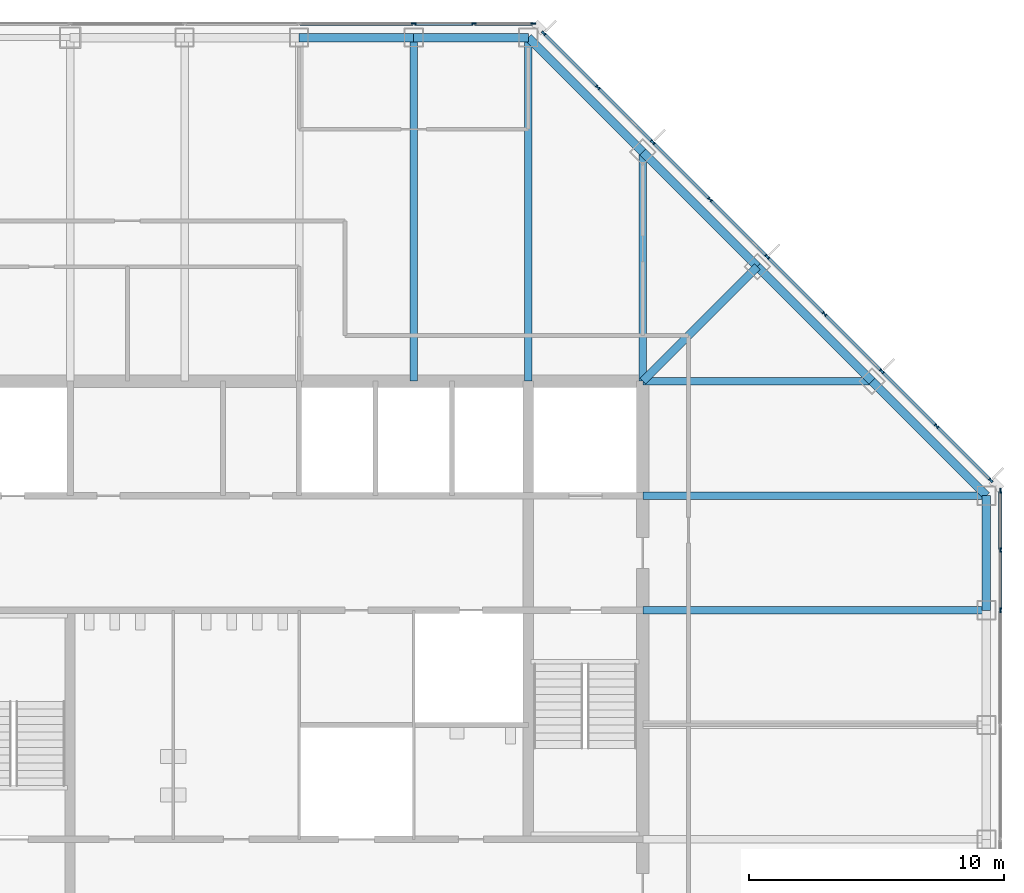
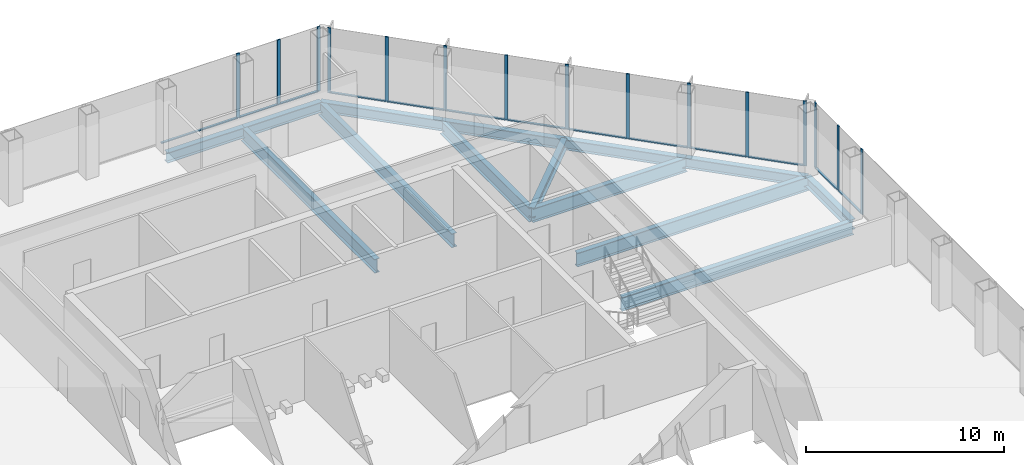
# One storey, part 6 of 12: 28 members, 14 beams, 3 elements without a shape of their own.
"""IFC4 building model written with IfcOpenShell, lengths in metres."""

from ifc_helpers import new_model, si_unit, direction, frame, origin, origin_2d, place, context, subcontext, project, spatial, rectangle, i_section, extrude, material, material_profile, profile_set, type_object, element, aggregate, save


model = new_model("IFC4")

# Units and contexts
model_context = context("Model", 3, precision=1e-05, world=origin(), true_north=direction((0.0, 1.0)))
body_context = subcontext(model_context, "Body", "Model", "MODEL_VIEW")
ifc_project = project(units=[si_unit("LENGTHUNIT", "METRE"), si_unit("AREAUNIT", "SQUARE_METRE"), si_unit("VOLUMEUNIT", "CUBIC_METRE"), si_unit("PLANEANGLEUNIT", "RADIAN"), si_unit("MASSUNIT", "GRAM", prefix="KILO")], contexts=[model_context])

# Site, building, storey
site_placement = place(None, origin())
site = spatial("IfcSite", under=ifc_project, at=site_placement, CompositionType="ELEMENT")
building_placement = place(site_placement, origin())
building = spatial("IfcBuilding", under=site, at=building_placement, Name="Corais Broadcast Tower", CompositionType="ELEMENT")
storey_placement = place(building_placement, frame((0.0, 0.0, 147.60009765625)))
storey = spatial("IfcBuildingStorey", under=building, at=storey_placement, Name="L33", CompositionType="ELEMENT", Elevation=147.60009765625)

# Beams
ifc_material_1 = material(Name="Steel ASTM A572 Grade 50", Category="steel")
ifc_material_profile_1 = material_profile(ifc_material_1, i_section(OverallWidth=0.323974609375, OverallDepth=0.611083984375, WebThickness=0.0126953125, FlangeThickness=0.01904296875, at=origin_2d()), Name="W610x155")
ifc_profile_set_1 = profile_set([ifc_material_profile_1], Name="Steel ASTM A572 Grade 50")
beam_type_1 = type_object("IfcBeamType", Name="Corner diagonal W610x155", PredefinedType="BEAM", material=ifc_profile_set_1)
beam_1_placement = place(storey_placement, frame((45.0, 45.0, -0.465576171875), z_axis=(-0.707106781187, -0.707106781187, 0.0), x_axis=(0.707106781187, -0.707106781187, 0.0)))
element("IfcBeam", 1, at=beam_1_placement, inside=storey, type_object=beam_type_1, Name="B6 L/13 to K/12", PredefinedType="BEAM", context=body_context, shape_type="SweptSolid", body=[
    extrude(i_section(OverallWidth=0.323974609375, OverallDepth=0.611083984375, WebThickness=0.0126953125, FlangeThickness=0.01904296875, at=origin_2d()), origin(), (0.0, 0.0, 1.0), 6.364013671875),
])
ifc_material_2 = material(Name="Steel ASTM A572 Grade 50", Category="steel")
ifc_material_profile_2 = material_profile(ifc_material_2, i_section(OverallWidth=0.2939453125, OverallDepth=0.85107421875, WebThickness=0.01611328125, FlangeThickness=0.02685546875, at=origin_2d()), Name="W840x226")
ifc_profile_set_2 = profile_set([ifc_material_profile_2], Name="Steel ASTM A572 Grade 50")
beam_type_2 = type_object("IfcBeamType", Name="Floor beam W840x226", PredefinedType="BEAM", material=ifc_profile_set_2)
for number, where, z_axis, x_axis, name in (
    (2, (31.5, 54.0, -0.585693359375), (0.0, -1.0, 0.0), (1.0, 0.0, 0.0), "B1 N/10 to K/10"),
    (3, (36.0, 54.0, -0.585693359375), (0.0, -1.0, 0.0), (1.0, 0.0, 0.0), "B1 N/11 to K/11"),
):
    element("IfcBeam", number, at=place(storey_placement, frame(where, z_axis=z_axis, x_axis=x_axis)), inside=storey, type_object=beam_type_2, Name=name, PredefinedType="BEAM", context=body_context, shape_type="SweptSolid", body=[
        extrude(i_section(OverallWidth=0.2939453125, OverallDepth=0.85107421875, WebThickness=0.01611328125, FlangeThickness=0.02685546875, at=origin_2d()), origin(), (0.0, 0.0, 1.0), 13.5),
    ])
for number, where, z_axis, x_axis, name in (
    (4, (40.5, 49.5, -0.585693359375), (0.0, -1.0, 0.0), (1.0, 0.0, 0.0), "B1 M/12 to K/12"),
    (5, (49.5, 40.5, -0.585693359375), (-1.0, 0.0, 0.0), (0.0, -1.0, 0.0), "B1 K/14 to K/12"),
):
    element("IfcBeam", number, at=place(storey_placement, frame(where, z_axis=z_axis, x_axis=x_axis)), inside=storey, type_object=beam_type_2, Name=name, PredefinedType="BEAM", context=body_context, shape_type="SweptSolid", body=[
        extrude(i_section(OverallWidth=0.2939453125, OverallDepth=0.85107421875, WebThickness=0.01611328125, FlangeThickness=0.02685546875, at=origin_2d()), origin(), (0.0, 0.0, 1.0), 9.0),
    ])
for number, where, z_axis, x_axis, name in (
    (6, (54.0, 31.5, -0.585693359375), (-1.0, 0.0, 0.0), (0.0, -1.0, 0.0), "B1 H/15 to H/12"),
    (7, (54.0, 36.0, -0.585693359375), (-1.0, 0.0, 0.0), (0.0, -1.0, 0.0), "B1 J/15 to J/12"),
):
    element("IfcBeam", number, at=place(storey_placement, frame(where, z_axis=z_axis, x_axis=x_axis)), inside=storey, type_object=beam_type_2, Name=name, PredefinedType="BEAM", context=body_context, shape_type="SweptSolid", body=[
        extrude(i_section(OverallWidth=0.2939453125, OverallDepth=0.85107421875, WebThickness=0.01611328125, FlangeThickness=0.02685546875, at=origin_2d()), origin(), (0.0, 0.0, 1.0), 13.5),
    ])

# Curtain wall, members
ifc_material_3 = material(Name="Aluminium and glass", Category="aluminium")
curtain_wall_type = type_object("IfcCurtainWallType", Name="Unitised fritted curtain wall CW2", PredefinedType="NOTDEFINED", material=ifc_material_3)
curtain_wall_1_placement = place(storey_placement, origin())
curtain_wall_1 = element("IfcCurtainWall", 8, at=curtain_wall_1_placement, inside=storey, type_object=curtain_wall_type, Name="CW2 curtain wall L33 4", PredefinedType="NOTDEFINED")
ifc_material_4 = material(Name="Aluminium 6063-T6", Category="aluminium")
ifc_material_profile_3 = material_profile(ifc_material_4, rectangle(XDim=0.06494140625, YDim=0.179931640625, at=origin_2d()), Name="Mullion CW2 65x180")
ifc_profile_set_3 = profile_set([ifc_material_profile_3], Name="Aluminium 6063-T6")
member_type_1 = type_object("IfcMemberType", Name="Mullion CW2 65x180", PredefinedType="MULLION", material=ifc_profile_set_3)
member_1_placement = place(storey_placement, frame((31.5, 54.550048828125, 0.0), z_axis=(0.0, 0.0, 1.0), x_axis=(0.0, 1.0, 0.0)))
member_1 = element("IfcMember", 9, at=member_1_placement, type_object=member_type_1, Name="CW2 mullion 7", PredefinedType="MULLION", context=body_context, shape_type="SweptSolid", body=[
    extrude(rectangle(XDim=0.06494140625, YDim=0.179931640625, at=origin_2d()), origin(), (0.0, 0.0, 1.0), 4.0),
])
member_2_placement = place(storey_placement, frame((33.864013671875, 54.550048828125, 0.0), z_axis=(0.0, 0.0, 1.0), x_axis=(0.0, 1.0, 0.0)))
member_2 = element("IfcMember", 10, at=member_2_placement, type_object=member_type_1, Name="CW2 mullion 8", PredefinedType="MULLION", context=body_context, shape_type="SweptSolid", body=[
    extrude(rectangle(XDim=0.06494140625, YDim=0.179931640625, at=origin_2d()), origin(), (0.0, 0.0, 1.0), 4.0),
])
member_3_placement = place(storey_placement, frame((36.1953125, 54.550048828125, 0.0), z_axis=(0.0, 0.0, 1.0), x_axis=(0.0, 1.0, 0.0)))
member_3 = element("IfcMember", 11, at=member_3_placement, type_object=member_type_1, Name="CW2 mullion 9", PredefinedType="MULLION", context=body_context, shape_type="SweptSolid", body=[
    extrude(rectangle(XDim=0.06494140625, YDim=0.179931640625, at=origin_2d()), origin(), (0.0, 0.0, 1.0), 4.0),
])

curtain_wall_2_placement = place(storey_placement, origin())
curtain_wall_2 = element("IfcCurtainWall", 12, at=curtain_wall_2_placement, inside=storey, type_object=curtain_wall_type, Name="CW2 curtain wall L33 5", PredefinedType="NOTDEFINED")
member_4_placement = place(storey_placement, frame((36.6044921875, 54.17333984375, 0.0), z_axis=(0.0, 0.0, 1.0), x_axis=(0.707106781187, 0.707106781187, 0.0)))
member_4 = element("IfcMember", 13, at=member_4_placement, type_object=member_type_1, Name="CW2 mullion 1", PredefinedType="MULLION", context=body_context, shape_type="SweptSolid", body=[
    extrude(rectangle(XDim=0.06494140625, YDim=0.179931640625, at=origin_2d()), origin(), (0.0, 0.0, 1.0), 4.0),
])
member_5_placement = place(storey_placement, frame((38.735107421875, 52.042724609375, 0.0), z_axis=(0.0, 0.0, 1.0), x_axis=(0.707106781187, 0.707106781187, 0.0)))
member_5 = element("IfcMember", 14, at=member_5_placement, type_object=member_type_1, Name="CW2 mullion 2", PredefinedType="MULLION", context=body_context, shape_type="SweptSolid", body=[
    extrude(rectangle(XDim=0.06494140625, YDim=0.179931640625, at=origin_2d()), origin(), (0.0, 0.0, 1.0), 4.0),
])
member_6_placement = place(storey_placement, frame((40.888916015625, 49.888916015625, 0.0), z_axis=(0.0, 0.0, 1.0), x_axis=(0.707106781187, 0.707106781187, 0.0)))
member_6 = element("IfcMember", 15, at=member_6_placement, type_object=member_type_1, Name="CW2 mullion 3", PredefinedType="MULLION", context=body_context, shape_type="SweptSolid", body=[
    extrude(rectangle(XDim=0.06494140625, YDim=0.179931640625, at=origin_2d()), origin(), (0.0, 0.0, 1.0), 4.0),
])
member_7_placement = place(storey_placement, frame((43.138916015625, 47.638916015625, 0.0), z_axis=(0.0, 0.0, 1.0), x_axis=(0.707106781187, 0.707106781187, 0.0)))
member_7 = element("IfcMember", 16, at=member_7_placement, type_object=member_type_1, Name="CW2 mullion 4", PredefinedType="MULLION", context=body_context, shape_type="SweptSolid", body=[
    extrude(rectangle(XDim=0.06494140625, YDim=0.179931640625, at=origin_2d()), origin(), (0.0, 0.0, 1.0), 4.0),
])
member_8_placement = place(storey_placement, frame((45.388916015625, 45.388916015625, 0.0), z_axis=(0.0, 0.0, 1.0), x_axis=(0.707106781187, 0.707106781187, 0.0)))
member_8 = element("IfcMember", 17, at=member_8_placement, type_object=member_type_1, Name="CW2 mullion 5", PredefinedType="MULLION", context=body_context, shape_type="SweptSolid", body=[
    extrude(rectangle(XDim=0.06494140625, YDim=0.179931640625, at=origin_2d()), origin(), (0.0, 0.0, 1.0), 4.0),
])
member_9_placement = place(storey_placement, frame((47.638916015625, 43.138916015625, 0.0), z_axis=(0.0, 0.0, 1.0), x_axis=(0.707106781187, 0.707106781187, 0.0)))
member_9 = element("IfcMember", 18, at=member_9_placement, type_object=member_type_1, Name="CW2 mullion 6", PredefinedType="MULLION", context=body_context, shape_type="SweptSolid", body=[
    extrude(rectangle(XDim=0.06494140625, YDim=0.179931640625, at=origin_2d()), origin(), (0.0, 0.0, 1.0), 4.0),
])
member_10_placement = place(storey_placement, frame((49.888916015625, 40.888916015625, 0.0), z_axis=(0.0, 0.0, 1.0), x_axis=(0.707106781187, 0.707106781187, 0.0)))
member_10 = element("IfcMember", 19, at=member_10_placement, type_object=member_type_1, Name="CW2 mullion 7", PredefinedType="MULLION", context=body_context, shape_type="SweptSolid", body=[
    extrude(rectangle(XDim=0.06494140625, YDim=0.179931640625, at=origin_2d()), origin(), (0.0, 0.0, 1.0), 4.0),
])
member_11_placement = place(storey_placement, frame((52.042724609375, 38.735107421875, 0.0), z_axis=(0.0, 0.0, 1.0), x_axis=(0.707106781187, 0.707106781187, 0.0)))
member_11 = element("IfcMember", 20, at=member_11_placement, type_object=member_type_1, Name="CW2 mullion 8", PredefinedType="MULLION", context=body_context, shape_type="SweptSolid", body=[
    extrude(rectangle(XDim=0.06494140625, YDim=0.179931640625, at=origin_2d()), origin(), (0.0, 0.0, 1.0), 4.0),
])
member_12_placement = place(storey_placement, frame((54.17333984375, 36.6044921875, 0.0), z_axis=(0.0, 0.0, 1.0), x_axis=(0.707106781187, 0.707106781187, 0.0)))
member_12 = element("IfcMember", 21, at=member_12_placement, type_object=member_type_1, Name="CW2 mullion 9", PredefinedType="MULLION", context=body_context, shape_type="SweptSolid", body=[
    extrude(rectangle(XDim=0.06494140625, YDim=0.179931640625, at=origin_2d()), origin(), (0.0, 0.0, 1.0), 4.0),
])

curtain_wall_3_placement = place(storey_placement, origin())
curtain_wall_3 = element("IfcCurtainWall", 22, at=curtain_wall_3_placement, inside=storey, type_object=curtain_wall_type, Name="CW2 curtain wall L33 6", PredefinedType="NOTDEFINED")
member_13_placement = place(storey_placement, frame((54.550048828125, 36.1953125, 0.0), z_axis=(0.0, 0.0, 1.0), x_axis=(1.0, 0.0, 0.0)))
member_13 = element("IfcMember", 23, at=member_13_placement, type_object=member_type_1, Name="CW2 mullion 1", PredefinedType="MULLION", context=body_context, shape_type="SweptSolid", body=[
    extrude(rectangle(XDim=0.06494140625, YDim=0.179931640625, at=origin_2d()), origin(), (0.0, 0.0, 1.0), 4.0),
])
member_14_placement = place(storey_placement, frame((54.550048828125, 33.864013671875, 0.0), z_axis=(0.0, 0.0, 1.0), x_axis=(1.0, 0.0, 0.0)))
member_14 = element("IfcMember", 24, at=member_14_placement, type_object=member_type_1, Name="CW2 mullion 2", PredefinedType="MULLION", context=body_context, shape_type="SweptSolid", body=[
    extrude(rectangle(XDim=0.06494140625, YDim=0.179931640625, at=origin_2d()), origin(), (0.0, 0.0, 1.0), 4.0),
])
member_15_placement = place(storey_placement, frame((54.550048828125, 31.5, 0.0), z_axis=(0.0, 0.0, 1.0), x_axis=(1.0, 0.0, 0.0)))
member_15 = element("IfcMember", 25, at=member_15_placement, type_object=member_type_1, Name="CW2 mullion 3", PredefinedType="MULLION", context=body_context, shape_type="SweptSolid", body=[
    extrude(rectangle(XDim=0.06494140625, YDim=0.179931640625, at=origin_2d()), origin(), (0.0, 0.0, 1.0), 4.0),
])

# Beams
ifc_material_5 = material(Name="Steel ASTM A572 Grade 50", Category="steel")
ifc_material_profile_4 = material_profile(ifc_material_5, i_section(OverallWidth=0.3291015625, OverallDepth=0.635009765625, WebThickness=0.017822265625, FlangeThickness=0.031005859375, at=origin_2d()), Name="W610x241")
ifc_profile_set_4 = profile_set([ifc_material_profile_4], Name="Steel ASTM A572 Grade 50")
beam_type_3 = type_object("IfcBeamType", Name="Spandrel W610x241", PredefinedType="BEAM", material=ifc_profile_set_4)
for number, where, z_axis, x_axis, name in (
    (26, (31.5, 54.0, -0.4775390625), (-1.0, 0.0, 0.0), (0.0, -1.0, 0.0), "SB1 N/10 to N/9"),
    (27, (36.0, 54.0, -0.4775390625), (-1.0, 0.0, 0.0), (0.0, -1.0, 0.0), "SB1 N/11 to N/10"),
):
    element("IfcBeam", number, at=place(storey_placement, frame(where, z_axis=z_axis, x_axis=x_axis)), inside=storey, type_object=beam_type_3, Name=name, PredefinedType="BEAM", context=body_context, shape_type="SweptSolid", body=[
        extrude(i_section(OverallWidth=0.3291015625, OverallDepth=0.635009765625, WebThickness=0.017822265625, FlangeThickness=0.031005859375, at=origin_2d()), origin(), (0.0, 0.0, 1.0), 4.5),
    ])
for number, where, z_axis, x_axis, name in (
    (28, (40.5, 49.5, -0.4775390625), (-0.707106781187, 0.707106781187, 0.0), (-0.707106781187, -0.707106781187, 0.0), "SB1 M/12 to N/11"),
    (29, (45.0, 45.0, -0.4775390625), (-0.707106781187, 0.707106781187, 0.0), (-0.707106781187, -0.707106781187, 0.0), "SB1 L/13 to M/12"),
    (30, (49.5, 40.5, -0.4775390625), (-0.707106781187, 0.707106781187, 0.0), (-0.707106781187, -0.707106781187, 0.0), "SB1 K/14 to L/13"),
):
    element("IfcBeam", number, at=place(storey_placement, frame(where, z_axis=z_axis, x_axis=x_axis)), inside=storey, type_object=beam_type_3, Name=name, PredefinedType="BEAM", context=body_context, shape_type="SweptSolid", body=[
        extrude(i_section(OverallWidth=0.3291015625, OverallDepth=0.635009765625, WebThickness=0.017822265625, FlangeThickness=0.031005859375, at=origin_2d()), origin(), (0.0, 0.0, 1.0), 6.364013671875),
    ])
beam_2_placement = place(storey_placement, frame((54.0, 31.5, -0.4775390625), z_axis=(0.0, 1.0, 0.0), x_axis=(-1.0, 0.0, 0.0)))
element("IfcBeam", 31, at=beam_2_placement, inside=storey, type_object=beam_type_3, Name="SB1 H/15 to J/15", PredefinedType="BEAM", context=body_context, shape_type="SweptSolid", body=[
    extrude(i_section(OverallWidth=0.3291015625, OverallDepth=0.635009765625, WebThickness=0.017822265625, FlangeThickness=0.031005859375, at=origin_2d()), origin(), (0.0, 0.0, 1.0), 4.5),
])
beam_3_placement = place(storey_placement, frame((54.0, 36.0, -0.4775390625), z_axis=(-0.707106781187, 0.707106781187, 0.0), x_axis=(-0.707106781187, -0.707106781187, 0.0)))
element("IfcBeam", 32, at=beam_3_placement, inside=storey, type_object=beam_type_3, Name="SB1 J/15 to K/14", PredefinedType="BEAM", context=body_context, shape_type="SweptSolid", body=[
    extrude(i_section(OverallWidth=0.3291015625, OverallDepth=0.635009765625, WebThickness=0.017822265625, FlangeThickness=0.031005859375, at=origin_2d()), origin(), (0.0, 0.0, 1.0), 6.364013671875),
])

# Member
ifc_material_6 = material(Name="Aluminium 6063-T6", Category="aluminium")
ifc_material_profile_5 = material_profile(ifc_material_6, rectangle(XDim=0.1298828125, YDim=0.06494140625, at=origin_2d()), Name="Transom CW2 65x130")
ifc_profile_set_5 = profile_set([ifc_material_profile_5], Name="Aluminium 6063-T6")
member_type_2 = type_object("IfcMemberType", Name="Transom CW2 65x130", PredefinedType="USERDEFINED", material=ifc_profile_set_5)
member_16_placement = place(storey_placement, frame((27.032470703125, 54.550048828125, 0.032470703125), z_axis=(1.0, 0.0, 0.0), x_axis=(0.0, 1.0, 0.0)))
member_16 = element("IfcMember", 33, at=member_16_placement, type_object=member_type_2, Name="CW2 transom 6.1", ObjectType="TRANSOM", PredefinedType="USERDEFINED", context=body_context, shape_type="SweptSolid", body=[
    extrude(rectangle(XDim=0.1298828125, YDim=0.06494140625, at=origin_2d()), origin(), (0.0, 0.0, 1.0), 4.43505859375),
])

member_17_placement = place(storey_placement, frame((31.532470703125, 54.550048828125, 0.032470703125), z_axis=(1.0, 0.0, 0.0), x_axis=(0.0, 1.0, 0.0)))
member_17 = element("IfcMember", 34, at=member_17_placement, type_object=member_type_2, Name="CW2 transom 7.1", ObjectType="TRANSOM", PredefinedType="USERDEFINED", context=body_context, shape_type="SweptSolid", body=[
    extrude(rectangle(XDim=0.1298828125, YDim=0.06494140625, at=origin_2d()), origin(), (0.0, 0.0, 1.0), 2.298828125),
])

member_18_placement = place(storey_placement, frame((33.896484375, 54.550048828125, 0.032470703125), z_axis=(1.0, 0.0, 0.0), x_axis=(0.0, 1.0, 0.0)))
member_18 = element("IfcMember", 35, at=member_18_placement, type_object=member_type_2, Name="CW2 transom 8.1", ObjectType="TRANSOM", PredefinedType="USERDEFINED", context=body_context, shape_type="SweptSolid", body=[
    extrude(rectangle(XDim=0.1298828125, YDim=0.06494140625, at=origin_2d()), origin(), (0.0, 0.0, 1.0), 2.266357421875),
])

aggregate(curtain_wall_1, [member_1, member_2, member_3, member_16, member_17, member_18])

member_19_placement = place(storey_placement, frame((36.62744140625, 54.150390625, 0.032470703125), z_axis=(0.707106781187, -0.707106781187, 0.0), x_axis=(0.707106781187, 0.707106781187, 0.0)))
member_19 = element("IfcMember", 36, at=member_19_placement, type_object=member_type_2, Name="CW2 transom 1.1", ObjectType="TRANSOM", PredefinedType="USERDEFINED", context=body_context, shape_type="SweptSolid", body=[
    extrude(rectangle(XDim=0.1298828125, YDim=0.06494140625, at=origin_2d()), origin(), (0.0, 0.0, 1.0), 2.9482421875),
])

member_20_placement = place(storey_placement, frame((38.758056640625, 52.019775390625, 0.032470703125), z_axis=(0.707106781187, -0.707106781187, 0.0), x_axis=(0.707106781187, 0.707106781187, 0.0)))
member_20 = element("IfcMember", 37, at=member_20_placement, type_object=member_type_2, Name="CW2 transom 2.1", ObjectType="TRANSOM", PredefinedType="USERDEFINED", context=body_context, shape_type="SweptSolid", body=[
    extrude(rectangle(XDim=0.1298828125, YDim=0.06494140625, at=origin_2d()), origin(), (0.0, 0.0, 1.0), 2.98095703125),
])

member_21_placement = place(storey_placement, frame((40.911865234375, 49.865966796875, 0.032470703125), z_axis=(0.707106781187, -0.707106781187, 0.0), x_axis=(0.707106781187, 0.707106781187, 0.0)))
member_21 = element("IfcMember", 38, at=member_21_placement, type_object=member_type_2, Name="CW2 transom 3.1", ObjectType="TRANSOM", PredefinedType="USERDEFINED", context=body_context, shape_type="SweptSolid", body=[
    extrude(rectangle(XDim=0.1298828125, YDim=0.06494140625, at=origin_2d()), origin(), (0.0, 0.0, 1.0), 3.1171875),
])

member_22_placement = place(storey_placement, frame((43.161865234375, 47.615966796875, 0.032470703125), z_axis=(0.707106781187, -0.707106781187, 0.0), x_axis=(0.707106781187, 0.707106781187, 0.0)))
member_22 = element("IfcMember", 39, at=member_22_placement, type_object=member_type_2, Name="CW2 transom 4.1", ObjectType="TRANSOM", PredefinedType="USERDEFINED", context=body_context, shape_type="SweptSolid", body=[
    extrude(rectangle(XDim=0.1298828125, YDim=0.06494140625, at=origin_2d()), origin(), (0.0, 0.0, 1.0), 3.1171875),
])

member_23_placement = place(storey_placement, frame((45.411865234375, 45.365966796875, 0.032470703125), z_axis=(0.707106781187, -0.707106781187, 0.0), x_axis=(0.707106781187, 0.707106781187, 0.0)))
member_23 = element("IfcMember", 40, at=member_23_placement, type_object=member_type_2, Name="CW2 transom 5.1", ObjectType="TRANSOM", PredefinedType="USERDEFINED", context=body_context, shape_type="SweptSolid", body=[
    extrude(rectangle(XDim=0.1298828125, YDim=0.06494140625, at=origin_2d()), origin(), (0.0, 0.0, 1.0), 3.1171875),
])

member_24_placement = place(storey_placement, frame((47.661865234375, 43.115966796875, 0.032470703125), z_axis=(0.707106781187, -0.707106781187, 0.0), x_axis=(0.707106781187, 0.707106781187, 0.0)))
member_24 = element("IfcMember", 41, at=member_24_placement, type_object=member_type_2, Name="CW2 transom 6.1", ObjectType="TRANSOM", PredefinedType="USERDEFINED", context=body_context, shape_type="SweptSolid", body=[
    extrude(rectangle(XDim=0.1298828125, YDim=0.06494140625, at=origin_2d()), origin(), (0.0, 0.0, 1.0), 3.1171875),
])

member_25_placement = place(storey_placement, frame((49.911865234375, 40.865966796875, 0.032470703125), z_axis=(0.707065828661, -0.70714773134, 0.0), x_axis=(0.70714773134, 0.707065828661, 0.0)))
member_25 = element("IfcMember", 42, at=member_25_placement, type_object=member_type_2, Name="CW2 transom 7.1", ObjectType="TRANSOM", PredefinedType="USERDEFINED", context=body_context, shape_type="SweptSolid", body=[
    extrude(rectangle(XDim=0.1298828125, YDim=0.06494140625, at=origin_2d()), origin(), (0.0, 0.0, 1.0), 2.98095703125),
])

member_26_placement = place(storey_placement, frame((52.065673828125, 38.712158203125, 0.032470703125), z_axis=(0.707106781187, -0.707106781187, 0.0), x_axis=(0.707106781187, 0.707106781187, 0.0)))
member_26 = element("IfcMember", 43, at=member_26_placement, type_object=member_type_2, Name="CW2 transom 8.1", ObjectType="TRANSOM", PredefinedType="USERDEFINED", context=body_context, shape_type="SweptSolid", body=[
    extrude(rectangle(XDim=0.1298828125, YDim=0.06494140625, at=origin_2d()), origin(), (0.0, 0.0, 1.0), 2.9482421875),
])

aggregate(curtain_wall_2, [member_4, member_5, member_6, member_7, member_8, member_9, member_10, member_11, member_12, member_19, member_20, member_21, member_22, member_23, member_24, member_25, member_26])

member_27_placement = place(storey_placement, frame((54.550048828125, 36.162841796875, 0.032470703125), z_axis=(0.0, -1.0, 0.0), x_axis=(1.0, 0.0, 0.0)))
member_27 = element("IfcMember", 44, at=member_27_placement, type_object=member_type_2, Name="CW2 transom 1.1", ObjectType="TRANSOM", PredefinedType="USERDEFINED", context=body_context, shape_type="SweptSolid", body=[
    extrude(rectangle(XDim=0.1298828125, YDim=0.06494140625, at=origin_2d()), origin(), (0.0, 0.0, 1.0), 2.266357421875),
])

member_28_placement = place(storey_placement, frame((54.550048828125, 33.831298828125, 0.032470703125), z_axis=(0.0, -1.0, 0.0), x_axis=(1.0, 0.0, 0.0)))
member_28 = element("IfcMember", 45, at=member_28_placement, type_object=member_type_2, Name="CW2 transom 2.1", ObjectType="TRANSOM", PredefinedType="USERDEFINED", context=body_context, shape_type="SweptSolid", body=[
    extrude(rectangle(XDim=0.1298828125, YDim=0.06494140625, at=origin_2d()), origin(), (0.0, 0.0, 1.0), 2.298828125),
])

aggregate(curtain_wall_3, [member_13, member_14, member_15, member_27, member_28])

save(model, "model.ifc")
